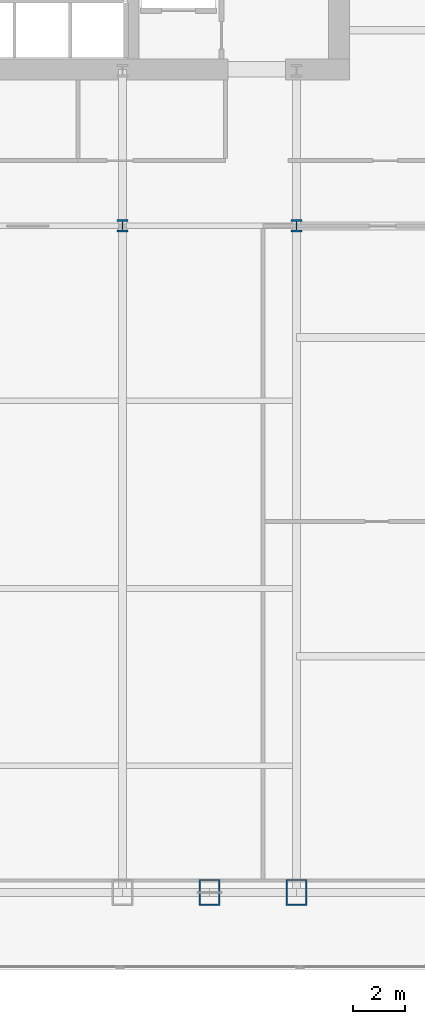
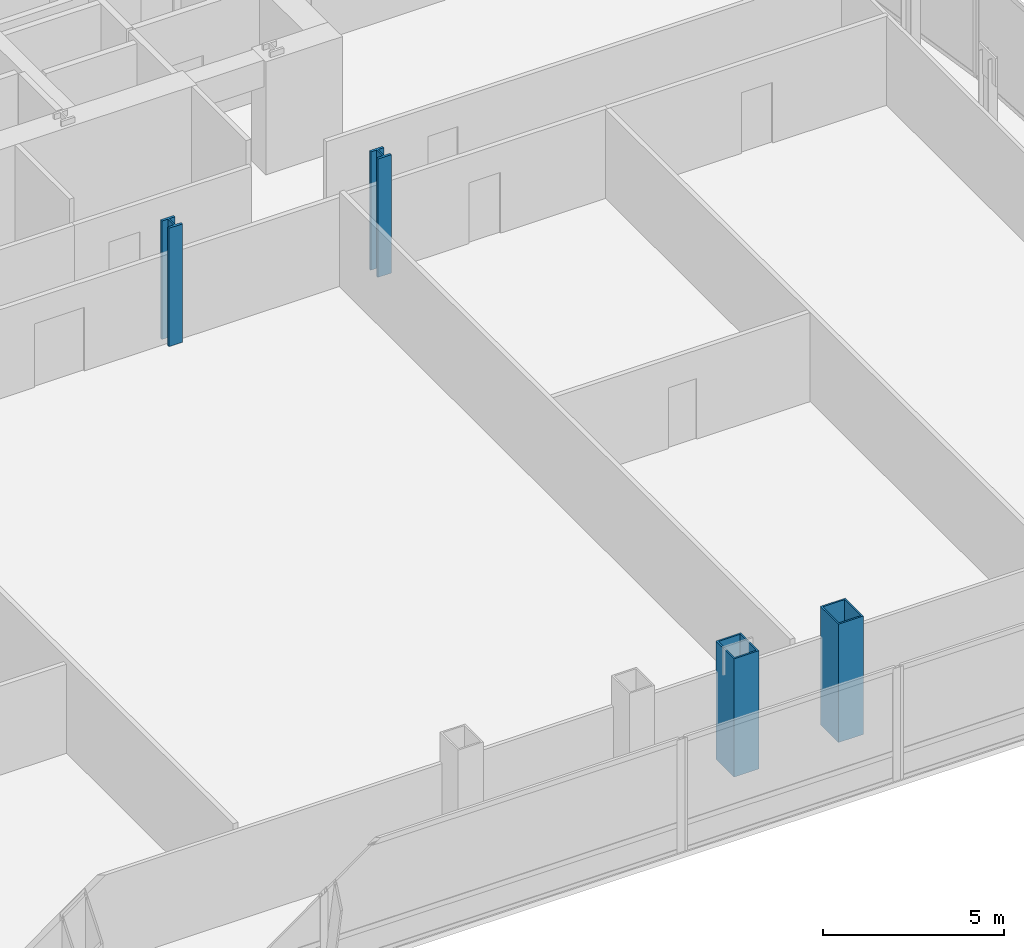
# One storey, part 2 of 37: 4 columns.
"""IFC4 building model written with IfcOpenShell, lengths in metres."""

from ifc_helpers import new_model, si_unit, direction, frame, origin, origin_2d, place, context, subcontext, project, spatial, hollow_rectangle, i_section, extrude, material, material_profile, profile_set, type_object, element, save


model = new_model("IFC4")

# Units and contexts
model_context = context("Model", 3, precision=1e-05, world=origin(), true_north=direction((0.0, 1.0)))
body_context = subcontext(model_context, "Body", "Model", "MODEL_VIEW")
ifc_project = project(units=[si_unit("LENGTHUNIT", "METRE"), si_unit("AREAUNIT", "SQUARE_METRE"), si_unit("VOLUMEUNIT", "CUBIC_METRE"), si_unit("PLANEANGLEUNIT", "RADIAN"), si_unit("MASSUNIT", "GRAM", prefix="KILO")], contexts=[model_context])

# Site, building, storey
site_placement = place(None, origin())
site = spatial("IfcSite", under=ifc_project, at=site_placement, CompositionType="ELEMENT")
building_placement = place(site_placement, origin())
building = spatial("IfcBuilding", under=site, at=building_placement, Name="Khoronbel Lancet Exchange", CompositionType="ELEMENT")
storey_placement = place(building_placement, frame((0.0, 0.0, 45.800048828125)))
storey = spatial("IfcBuildingStorey", under=building, at=storey_placement, Name="L10", CompositionType="ELEMENT", Elevation=45.800048828125)

# Columns
ifc_material = material(Name="Steel S460", Category="steel")
ifc_material_profile_1 = material_profile(ifc_material, hollow_rectangle(XDim=0.800048828125, YDim=1.0, WallThickness=0.054931640625, at=origin_2d()), Name="BOX 1000x800x55")
ifc_profile_set_1 = profile_set([ifc_material_profile_1], Name="Steel S460")
column_type_1 = type_object("IfcColumnType", Name="COL-EC1", PredefinedType="COLUMN", material=ifc_profile_set_1)
for number, where, z_axis, x_axis, name in (
    (1, (51.33740234375, 10.14990234375, 0.0), (0.0, 0.0, 1.0), (1.0, 0.0, 0.0), "Structural column SC-EM L10"),
    (2, (54.675048828125, 10.14990234375, 0.0), (0.0, 0.0, 1.0), (1.0, 0.0, 0.0), "Structural column SC-E2 L10"),
):
    element("IfcColumn", number, at=place(storey_placement, frame(where, z_axis=z_axis, x_axis=x_axis)), inside=storey, type_object=column_type_1, Name=name, PredefinedType="COLUMN", context=body_context, shape_type="SweptSolid", body=[
        extrude(hollow_rectangle(XDim=0.800048828125, YDim=1.0, WallThickness=0.054931640625, at=origin_2d()), origin(), (0.0, 0.0, 1.0), 4.0),
    ])
ifc_material_profile_2 = material_profile(ifc_material, i_section(OverallWidth=0.424072265625, OverallDepth=0.47412109375, WebThickness=0.047607421875, FlangeThickness=0.076904296875, at=origin_2d()), Name="HD 400x634")
ifc_profile_set_2 = profile_set([ifc_material_profile_2], Name="Steel S460")
column_type_2 = type_object("IfcColumnType", Name="COL-IC1", PredefinedType="COLUMN", material=ifc_profile_set_2)
for number, where, z_axis, x_axis, name in (
    (3, (48.0, 35.699951171875, 0.0), (0.0, 0.0, 1.0), (1.0, 0.0, 0.0), "Spine gravity column TC3 L10"),
    (4, (54.675048828125, 35.699951171875, 0.0), (0.0, 0.0, 1.0), (1.0, 0.0, 0.0), "Spine gravity column TC4 L10"),
):
    element("IfcColumn", number, at=place(storey_placement, frame(where, z_axis=z_axis, x_axis=x_axis)), inside=storey, type_object=column_type_2, Name=name, PredefinedType="COLUMN", context=body_context, shape_type="SweptSolid", body=[
        extrude(i_section(OverallWidth=0.424072265625, OverallDepth=0.47412109375, WebThickness=0.047607421875, FlangeThickness=0.076904296875, at=origin_2d()), origin(), (0.0, 0.0, 1.0), 4.0),
    ])

save(model, "model.ifc")
